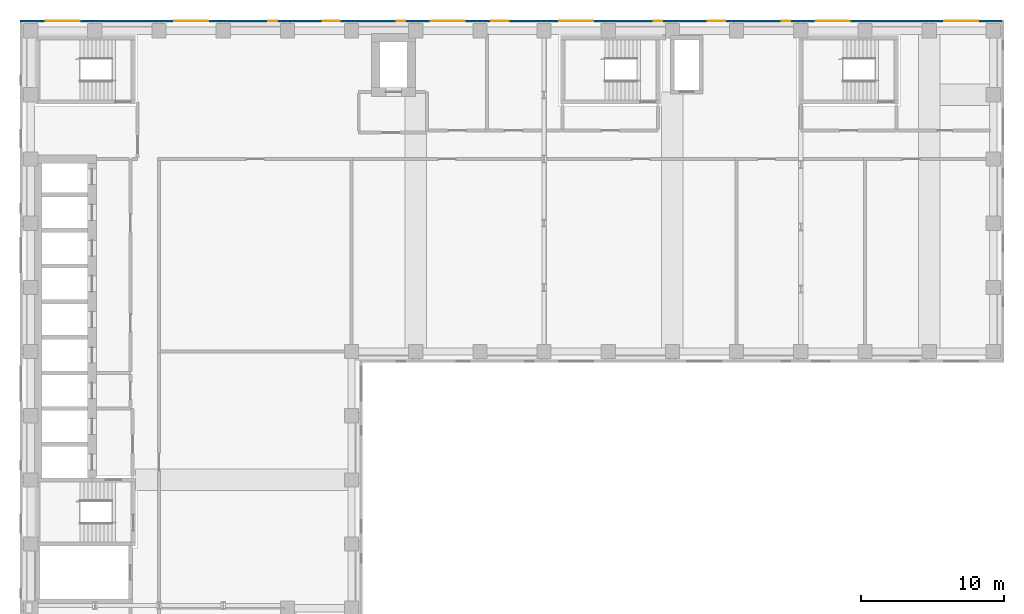
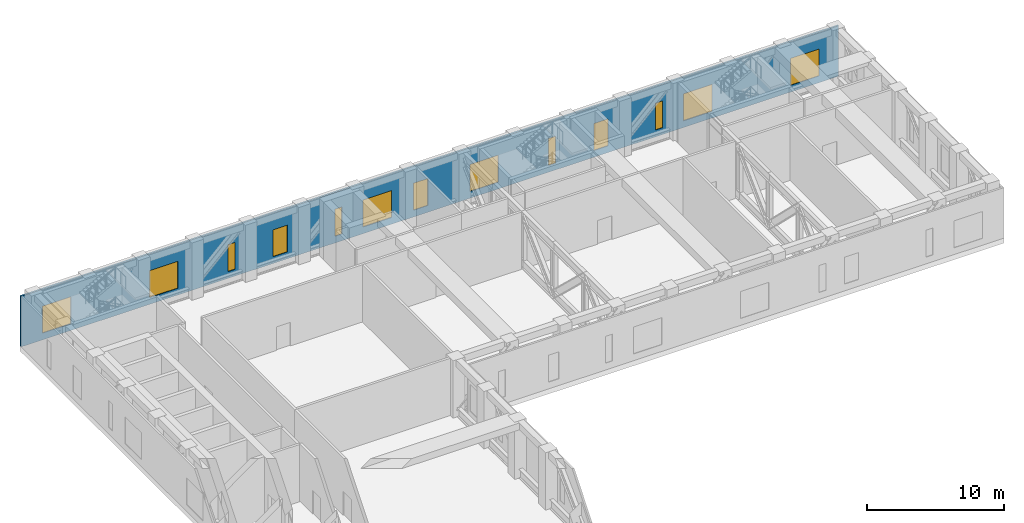
# One storey, part 9 of 14: 13 windows, 1 wall, 13 openings.
"""IFC4 building model written with IfcOpenShell, lengths in metres."""

from ifc_helpers import new_model, si_unit, direction, frame, frame_2d, origin, place, context, subcontext, project, spatial, rectangle, extrude, material, layer, layer_set, type_object, element, fill, save


model = new_model("IFC4")

# Units and contexts
model_context = context("Model", 3, precision=1e-05, world=origin(), true_north=direction((0.0, 1.0)))
body_context = subcontext(model_context, "Body", "Model", "MODEL_VIEW")
ifc_project = project(units=[si_unit("LENGTHUNIT", "METRE"), si_unit("AREAUNIT", "SQUARE_METRE"), si_unit("VOLUMEUNIT", "CUBIC_METRE"), si_unit("PLANEANGLEUNIT", "RADIAN"), si_unit("MASSUNIT", "GRAM", prefix="KILO")], contexts=[model_context])

# Site, building, storey
site_placement = place(None, origin())
site = spatial("IfcSite", under=ifc_project, at=site_placement, CompositionType="ELEMENT")
building_placement = place(site_placement, origin())
building = spatial("IfcBuilding", under=site, at=building_placement, Name="Firuza Court", CompositionType="ELEMENT")
storey_placement = place(building_placement, frame((0.0, 0.0, 173.60009765625)))
storey = spatial("IfcBuildingStorey", under=building, at=storey_placement, Name="L44", CompositionType="ELEMENT", Elevation=173.60009765625)

# Wall, openings, windows
ifc_material_1 = material(Name="Ceramic tile", Category="ceramic")
ifc_layer_1 = layer(ifc_material_1, 0.02001953125)
ifc_material_2 = material(Name="Mineral wool insulation", Category="insulation")
ifc_layer_2 = layer(ifc_material_2, 0.050048828125)
ifc_material_3 = material(Name="Concrete C40/50 precast", Category="concrete")
ifc_layer_3 = layer(ifc_material_3, 0.080078125)
ifc_layer_set = layer_set([ifc_layer_1, ifc_layer_2, ifc_layer_3], Name="Concrete C40/50 precast")
wall_type = type_object("IfcWallType", Name="Precast cladding wall with turquoise TILE PANEL face 150", PredefinedType="STANDARD", material=ifc_layer_set)
wall_placement = place(storey_placement, frame((68.10009765625, 59.175048828125, 0.0), z_axis=(0.0, 0.0, 1.0), x_axis=(-1.0, 0.0, 0.0)))
wall = element("IfcWall", 1, at=wall_placement, inside=storey, type_object=wall_type, Name="Facade wall L44 N", PredefinedType="STANDARD", context=body_context, shape_type="SweptSolid", body=[
    extrude(rectangle(XDim=68.85009765625, YDim=0.14990234375, at=frame_2d((34.425048828125, 0.0))), origin(), (0.0, 0.0, 1.0), 4.5),
])
opening_1_placement = place(wall_placement, frame((1.64990234375, 0.0, 0.60009765625)))
opening_1 = element("IfcOpeningElement", 2, at=opening_1_placement, cuts=wall, Name="Opening LV2", PredefinedType="OPENING", context=body_context, shape_type="SweptSolid", body=[
    extrude(rectangle(XDim=2.39990234375, YDim=2.39990234375, at=frame_2d((1.199951171875, 1.199951171875))), frame((0.0, 0.0869140625, 0.0), z_axis=(0.0, -1.0, 0.0), x_axis=(1.0, 0.0, 0.0)), (0.0, 0.0, 1.0), 0.173828125),
])
opening_2_placement = place(wall_placement, frame((10.64990234375, 0.0, 0.60009765625)))
opening_2 = element("IfcOpeningElement", 3, at=opening_2_placement, cuts=wall, Name="Opening LV2", PredefinedType="OPENING", context=body_context, shape_type="SweptSolid", body=[
    extrude(rectangle(XDim=2.39990234375, YDim=2.39990234375, at=frame_2d((1.199951171875, 1.199951171875))), frame((0.0, 0.0869140625, 0.0), z_axis=(0.0, -1.0, 0.0), x_axis=(1.0, 0.0, 0.0)), (0.0, 0.0, 1.0), 0.173828125),
])
opening_3_placement = place(wall_placement, frame((14.824951171875, 0.0, 0.60009765625)))
opening_3 = element("IfcOpeningElement", 4, at=opening_3_placement, cuts=wall, Name="Opening LV6", PredefinedType="OPENING", context=body_context, shape_type="SweptSolid", body=[
    extrude(rectangle(XDim=0.60009765625, YDim=2.39990234375, at=frame_2d((0.300048828125, 1.199951171875))), frame((0.0, 0.0869140625, 0.0), z_axis=(0.0, -1.0, 0.0), x_axis=(1.0, 0.0, 0.0)), (0.0, 0.0, 1.0), 0.173828125),
])
opening_4_placement = place(wall_placement, frame((19.412109375, 0.0, 0.60009765625)))
opening_4 = element("IfcOpeningElement", 5, at=opening_4_placement, cuts=wall, Name="Opening LV5", PredefinedType="OPENING", context=body_context, shape_type="SweptSolid", body=[
    extrude(rectangle(XDim=1.199951171875, YDim=2.39990234375, at=frame_2d((0.60009765625, 1.199951171875))), frame((0.0, 0.0869140625, 0.0), z_axis=(0.0, -1.0, 0.0), x_axis=(1.0, 0.0, 0.0)), (0.0, 0.0, 1.0), 0.173828125),
])
opening_5_placement = place(wall_placement, frame((23.824951171875, 0.0, 0.60009765625)))
opening_5 = element("IfcOpeningElement", 6, at=opening_5_placement, cuts=wall, Name="Opening LV6", PredefinedType="OPENING", context=body_context, shape_type="SweptSolid", body=[
    extrude(rectangle(XDim=0.60009765625, YDim=2.39990234375, at=frame_2d((0.300048828125, 1.199951171875))), frame((0.0, 0.0869140625, 0.0), z_axis=(0.0, -1.0, 0.0), x_axis=(1.0, 0.0, 0.0)), (0.0, 0.0, 1.0), 0.173828125),
])
opening_6_placement = place(wall_placement, frame((28.64990234375, 0.0, 0.60009765625)))
opening_6 = element("IfcOpeningElement", 7, at=opening_6_placement, cuts=wall, Name="Opening LV2", PredefinedType="OPENING", context=body_context, shape_type="SweptSolid", body=[
    extrude(rectangle(XDim=2.39990234375, YDim=2.39990234375, at=frame_2d((1.199951171875, 1.199951171875))), frame((0.0, 0.0869140625, 0.0), z_axis=(0.0, -1.0, 0.0), x_axis=(1.0, 0.0, 0.0)), (0.0, 0.0, 1.0), 0.173828125),
])
opening_7_placement = place(wall_placement, frame((34.587890625, 0.0, 0.60009765625)))
opening_7 = element("IfcOpeningElement", 8, at=opening_7_placement, cuts=wall, Name="Opening LV5", PredefinedType="OPENING", context=body_context, shape_type="SweptSolid", body=[
    extrude(rectangle(XDim=1.199951171875, YDim=2.39990234375, at=frame_2d((0.60009765625, 1.199951171875))), frame((0.0, 0.0869140625, 0.0), z_axis=(0.0, -1.0, 0.0), x_axis=(1.0, 0.0, 0.0)), (0.0, 0.0, 1.0), 0.173828125),
])
opening_8_placement = place(wall_placement, frame((37.64990234375, 0.0, 0.60009765625)))
opening_8 = element("IfcOpeningElement", 9, at=opening_8_placement, cuts=wall, Name="Opening LV2", PredefinedType="OPENING", context=body_context, shape_type="SweptSolid", body=[
    extrude(rectangle(XDim=2.39990234375, YDim=2.39990234375, at=frame_2d((1.199951171875, 1.199951171875))), frame((0.0, 0.0869140625, 0.0), z_axis=(0.0, -1.0, 0.0), x_axis=(1.0, 0.0, 0.0)), (0.0, 0.0, 1.0), 0.173828125),
])
opening_9_placement = place(wall_placement, frame((41.824951171875, 0.0, 0.60009765625)))
opening_9 = element("IfcOpeningElement", 10, at=opening_9_placement, cuts=wall, Name="Opening LV6", PredefinedType="OPENING", context=body_context, shape_type="SweptSolid", body=[
    extrude(rectangle(XDim=0.60009765625, YDim=2.39990234375, at=frame_2d((0.300048828125, 1.199951171875))), frame((0.0, 0.0869140625, 0.0), z_axis=(0.0, -1.0, 0.0), x_axis=(1.0, 0.0, 0.0)), (0.0, 0.0, 1.0), 0.173828125),
])
opening_10_placement = place(wall_placement, frame((46.412109375, 0.0, 0.60009765625)))
opening_10 = element("IfcOpeningElement", 11, at=opening_10_placement, cuts=wall, Name="Opening LV5", PredefinedType="OPENING", context=body_context, shape_type="SweptSolid", body=[
    extrude(rectangle(XDim=1.199951171875, YDim=2.39990234375, at=frame_2d((0.60009765625, 1.199951171875))), frame((0.0, 0.0869140625, 0.0), z_axis=(0.0, -1.0, 0.0), x_axis=(1.0, 0.0, 0.0)), (0.0, 0.0, 1.0), 0.173828125),
])
opening_11_placement = place(wall_placement, frame((50.824951171875, 0.0, 0.60009765625)))
opening_11 = element("IfcOpeningElement", 12, at=opening_11_placement, cuts=wall, Name="Opening LV6", PredefinedType="OPENING", context=body_context, shape_type="SweptSolid", body=[
    extrude(rectangle(XDim=0.60009765625, YDim=2.39990234375, at=frame_2d((0.300048828125, 1.199951171875))), frame((0.0, 0.0869140625, 0.0), z_axis=(0.0, -1.0, 0.0), x_axis=(1.0, 0.0, 0.0)), (0.0, 0.0, 1.0), 0.173828125),
])
opening_12_placement = place(wall_placement, frame((55.64990234375, 0.0, 0.60009765625)))
opening_12 = element("IfcOpeningElement", 13, at=opening_12_placement, cuts=wall, Name="Opening LV2", PredefinedType="OPENING", context=body_context, shape_type="SweptSolid", body=[
    extrude(rectangle(XDim=2.39990234375, YDim=2.39990234375, at=frame_2d((1.199951171875, 1.199951171875))), frame((0.0, 0.0869140625, 0.0), z_axis=(0.0, -1.0, 0.0), x_axis=(1.0, 0.0, 0.0)), (0.0, 0.0, 1.0), 0.173828125),
])
opening_13_placement = place(wall_placement, frame((64.64990234375, 0.0, 0.60009765625)))
opening_13 = element("IfcOpeningElement", 14, at=opening_13_placement, cuts=wall, Name="Opening LV2", PredefinedType="OPENING", context=body_context, shape_type="SweptSolid", body=[
    extrude(rectangle(XDim=2.39990234375, YDim=2.39990234375, at=frame_2d((1.199951171875, 1.199951171875))), frame((0.0, 0.0869140625, 0.0), z_axis=(0.0, -1.0, 0.0), x_axis=(1.0, 0.0, 0.0)), (0.0, 0.0, 1.0), 0.173828125),
])
ifc_material_4 = material(Name="Aluminium weather louvre with insect mesh", Category="aluminium")
window_type_1 = type_object("IfcWindowType", Name="Plant louvre 1200 x 2400", PartitioningType="SINGLE_PANEL", PredefinedType="USERDEFINED", material=ifc_material_4)
window_1_placement = place(opening_4_placement, origin())
window_1 = element("IfcWindow", 15, at=window_1_placement, inside=storey, type_object=window_type_1, Name="Louvre L44", ObjectType="LOUVRE", OverallHeight=2.39990234375, OverallWidth=1.199951171875, PartitioningType="SINGLE_PANEL", PredefinedType="USERDEFINED", context=body_context, shape_type="SweptSolid", body=[
    extrude(rectangle(XDim=1.199951171875, YDim=2.39990234375, at=frame_2d((0.60009765625, 1.199951171875))), frame((0.0, 0.030029296875, 0.0), z_axis=(0.0, -1.0, 0.0), x_axis=(1.0, 0.0, 0.0)), (0.0, 0.0, 1.0), 0.06005859375),
])
fill(opening_4, window_1)
window_2_placement = place(opening_7_placement, origin())
window_2 = element("IfcWindow", 16, at=window_2_placement, inside=storey, type_object=window_type_1, Name="Louvre L44", ObjectType="LOUVRE", OverallHeight=2.39990234375, OverallWidth=1.199951171875, PartitioningType="SINGLE_PANEL", PredefinedType="USERDEFINED", context=body_context, shape_type="SweptSolid", body=[
    extrude(rectangle(XDim=1.199951171875, YDim=2.39990234375, at=frame_2d((0.60009765625, 1.199951171875))), frame((0.0, 0.030029296875, 0.0), z_axis=(0.0, -1.0, 0.0), x_axis=(1.0, 0.0, 0.0)), (0.0, 0.0, 1.0), 0.06005859375),
])
fill(opening_7, window_2)
window_3_placement = place(opening_10_placement, origin())
window_3 = element("IfcWindow", 17, at=window_3_placement, inside=storey, type_object=window_type_1, Name="Louvre L44", ObjectType="LOUVRE", OverallHeight=2.39990234375, OverallWidth=1.199951171875, PartitioningType="SINGLE_PANEL", PredefinedType="USERDEFINED", context=body_context, shape_type="SweptSolid", body=[
    extrude(rectangle(XDim=1.199951171875, YDim=2.39990234375, at=frame_2d((0.60009765625, 1.199951171875))), frame((0.0, 0.030029296875, 0.0), z_axis=(0.0, -1.0, 0.0), x_axis=(1.0, 0.0, 0.0)), (0.0, 0.0, 1.0), 0.06005859375),
])
fill(opening_10, window_3)
ifc_material_5 = material(Name="Aluminium weather louvre with insect mesh", Category="aluminium")
window_type_2 = type_object("IfcWindowType", Name="Plant louvre 2400 x 2400", PartitioningType="SINGLE_PANEL", PredefinedType="USERDEFINED", material=ifc_material_5)
window_4_placement = place(opening_1_placement, origin())
window_4 = element("IfcWindow", 18, at=window_4_placement, inside=storey, type_object=window_type_2, Name="Louvre L44", ObjectType="LOUVRE", OverallHeight=2.39990234375, OverallWidth=2.39990234375, PartitioningType="SINGLE_PANEL", PredefinedType="USERDEFINED", context=body_context, shape_type="SweptSolid", body=[
    extrude(rectangle(XDim=2.39990234375, YDim=2.39990234375, at=frame_2d((1.199951171875, 1.199951171875))), frame((0.0, 0.030029296875, 0.0), z_axis=(0.0, -1.0, 0.0), x_axis=(1.0, 0.0, 0.0)), (0.0, 0.0, 1.0), 0.06005859375),
])
fill(opening_1, window_4)
window_5_placement = place(opening_2_placement, origin())
window_5 = element("IfcWindow", 19, at=window_5_placement, inside=storey, type_object=window_type_2, Name="Louvre L44", ObjectType="LOUVRE", OverallHeight=2.39990234375, OverallWidth=2.39990234375, PartitioningType="SINGLE_PANEL", PredefinedType="USERDEFINED", context=body_context, shape_type="SweptSolid", body=[
    extrude(rectangle(XDim=2.39990234375, YDim=2.39990234375, at=frame_2d((1.199951171875, 1.199951171875))), frame((0.0, 0.030029296875, 0.0), z_axis=(0.0, -1.0, 0.0), x_axis=(1.0, 0.0, 0.0)), (0.0, 0.0, 1.0), 0.06005859375),
])
fill(opening_2, window_5)
window_6_placement = place(opening_6_placement, origin())
window_6 = element("IfcWindow", 20, at=window_6_placement, inside=storey, type_object=window_type_2, Name="Louvre L44", ObjectType="LOUVRE", OverallHeight=2.39990234375, OverallWidth=2.39990234375, PartitioningType="SINGLE_PANEL", PredefinedType="USERDEFINED", context=body_context, shape_type="SweptSolid", body=[
    extrude(rectangle(XDim=2.39990234375, YDim=2.39990234375, at=frame_2d((1.199951171875, 1.199951171875))), frame((0.0, 0.030029296875, 0.0), z_axis=(0.0, -1.0, 0.0), x_axis=(1.0, 0.0, 0.0)), (0.0, 0.0, 1.0), 0.06005859375),
])
fill(opening_6, window_6)
window_7_placement = place(opening_8_placement, origin())
window_7 = element("IfcWindow", 21, at=window_7_placement, inside=storey, type_object=window_type_2, Name="Louvre L44", ObjectType="LOUVRE", OverallHeight=2.39990234375, OverallWidth=2.39990234375, PartitioningType="SINGLE_PANEL", PredefinedType="USERDEFINED", context=body_context, shape_type="SweptSolid", body=[
    extrude(rectangle(XDim=2.39990234375, YDim=2.39990234375, at=frame_2d((1.199951171875, 1.199951171875))), frame((0.0, 0.030029296875, 0.0), z_axis=(0.0, -1.0, 0.0), x_axis=(1.0, 0.0, 0.0)), (0.0, 0.0, 1.0), 0.06005859375),
])
fill(opening_8, window_7)
window_8_placement = place(opening_12_placement, origin())
window_8 = element("IfcWindow", 22, at=window_8_placement, inside=storey, type_object=window_type_2, Name="Louvre L44", ObjectType="LOUVRE", OverallHeight=2.39990234375, OverallWidth=2.39990234375, PartitioningType="SINGLE_PANEL", PredefinedType="USERDEFINED", context=body_context, shape_type="SweptSolid", body=[
    extrude(rectangle(XDim=2.39990234375, YDim=2.39990234375, at=frame_2d((1.199951171875, 1.199951171875))), frame((0.0, 0.030029296875, 0.0), z_axis=(0.0, -1.0, 0.0), x_axis=(1.0, 0.0, 0.0)), (0.0, 0.0, 1.0), 0.06005859375),
])
fill(opening_12, window_8)
window_9_placement = place(opening_13_placement, origin())
window_9 = element("IfcWindow", 23, at=window_9_placement, inside=storey, type_object=window_type_2, Name="Louvre L44", ObjectType="LOUVRE", OverallHeight=2.39990234375, OverallWidth=2.39990234375, PartitioningType="SINGLE_PANEL", PredefinedType="USERDEFINED", context=body_context, shape_type="SweptSolid", body=[
    extrude(rectangle(XDim=2.39990234375, YDim=2.39990234375, at=frame_2d((1.199951171875, 1.199951171875))), frame((0.0, 0.030029296875, 0.0), z_axis=(0.0, -1.0, 0.0), x_axis=(1.0, 0.0, 0.0)), (0.0, 0.0, 1.0), 0.06005859375),
])
fill(opening_13, window_9)
ifc_material_6 = material(Name="Aluminium weather louvre with insect mesh", Category="aluminium")
window_type_3 = type_object("IfcWindowType", Name="Plant louvre 600 x 2400", PartitioningType="SINGLE_PANEL", PredefinedType="USERDEFINED", material=ifc_material_6)
window_10_placement = place(opening_3_placement, origin())
window_10 = element("IfcWindow", 24, at=window_10_placement, inside=storey, type_object=window_type_3, Name="Louvre L44", ObjectType="LOUVRE", OverallHeight=2.39990234375, OverallWidth=0.60009765625, PartitioningType="SINGLE_PANEL", PredefinedType="USERDEFINED", context=body_context, shape_type="SweptSolid", body=[
    extrude(rectangle(XDim=0.60009765625, YDim=2.39990234375, at=frame_2d((0.300048828125, 1.199951171875))), frame((0.0, 0.030029296875, 0.0), z_axis=(0.0, -1.0, 0.0), x_axis=(1.0, 0.0, 0.0)), (0.0, 0.0, 1.0), 0.06005859375),
])
fill(opening_3, window_10)
window_11_placement = place(opening_5_placement, origin())
window_11 = element("IfcWindow", 25, at=window_11_placement, inside=storey, type_object=window_type_3, Name="Louvre L44", ObjectType="LOUVRE", OverallHeight=2.39990234375, OverallWidth=0.60009765625, PartitioningType="SINGLE_PANEL", PredefinedType="USERDEFINED", context=body_context, shape_type="SweptSolid", body=[
    extrude(rectangle(XDim=0.60009765625, YDim=2.39990234375, at=frame_2d((0.300048828125, 1.199951171875))), frame((0.0, 0.030029296875, 0.0), z_axis=(0.0, -1.0, 0.0), x_axis=(1.0, 0.0, 0.0)), (0.0, 0.0, 1.0), 0.06005859375),
])
fill(opening_5, window_11)
window_12_placement = place(opening_9_placement, origin())
window_12 = element("IfcWindow", 26, at=window_12_placement, inside=storey, type_object=window_type_3, Name="Louvre L44", ObjectType="LOUVRE", OverallHeight=2.39990234375, OverallWidth=0.60009765625, PartitioningType="SINGLE_PANEL", PredefinedType="USERDEFINED", context=body_context, shape_type="SweptSolid", body=[
    extrude(rectangle(XDim=0.60009765625, YDim=2.39990234375, at=frame_2d((0.300048828125, 1.199951171875))), frame((0.0, 0.030029296875, 0.0), z_axis=(0.0, -1.0, 0.0), x_axis=(1.0, 0.0, 0.0)), (0.0, 0.0, 1.0), 0.06005859375),
])
fill(opening_9, window_12)
window_13_placement = place(opening_11_placement, origin())
window_13 = element("IfcWindow", 27, at=window_13_placement, inside=storey, type_object=window_type_3, Name="Louvre L44", ObjectType="LOUVRE", OverallHeight=2.39990234375, OverallWidth=0.60009765625, PartitioningType="SINGLE_PANEL", PredefinedType="USERDEFINED", context=body_context, shape_type="SweptSolid", body=[
    extrude(rectangle(XDim=0.60009765625, YDim=2.39990234375, at=frame_2d((0.300048828125, 1.199951171875))), frame((0.0, 0.030029296875, 0.0), z_axis=(0.0, -1.0, 0.0), x_axis=(1.0, 0.0, 0.0)), (0.0, 0.0, 1.0), 0.06005859375),
])
fill(opening_11, window_13)

save(model, "model.ifc")
